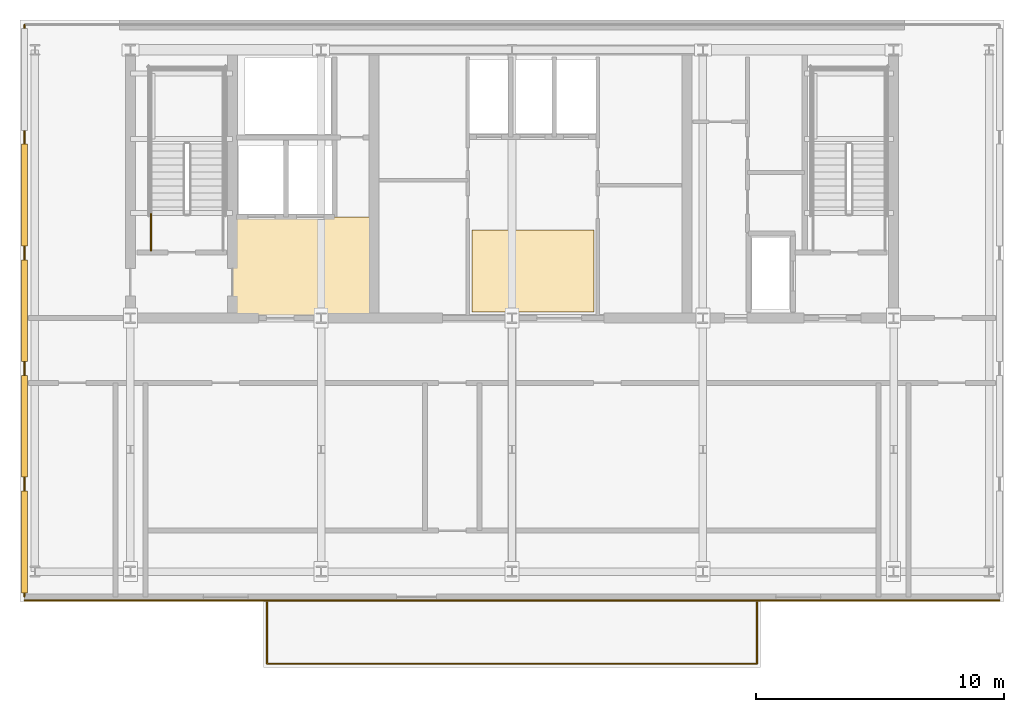
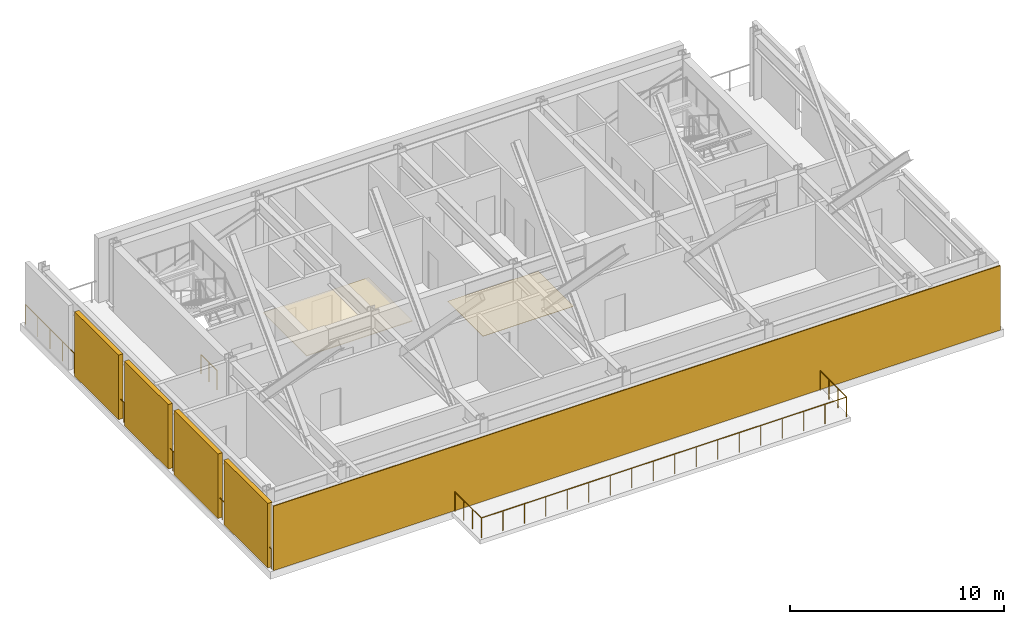
# One storey, part 5 of 8: 4 shading devices, 3 coverings, 3 railings.
"""IFC4 building model written with IfcOpenShell, lengths in metres."""

import ifcopenshell
import ifcopenshell.guid

model = None  # the IFC model being written
_history = None  # IfcOwnerHistory: only IFC2X3 demands one
_inside = {}  # id of a spatial element -> (the spatial element, [elements in it])
_under = {}  # id of a project, library or spatial element -> (it, [spatial elements below it])
_declared = {}  # id of a project -> (the project, [libraries it declares])
_typed = {}  # id of a type object -> (the type object, [elements of that type])
_made_of = {}  # id of a material, layer set ... -> (it, [elements and type objects made of it])


def new_model(schema):
    """Start an empty IFC model of exactly this schema.

    Asked for "IFC4X3", IfcOpenShell would pick the latest addendum, in which some entities
    have other attributes; the version numbers below select the first issue.
    IFC2X3 requires an IfcOwnerHistory on every rooted entity: one is made here for all.
    """
    global model, _history
    if schema == "IFC4X3":
        model = ifcopenshell.file(schema_version=(4, 3, 0, 0))
    else:
        model = ifcopenshell.file(schema=schema)
    _inside.clear()
    _under.clear()
    _declared.clear()
    _typed.clear()
    _made_of.clear()
    _history = None
    if model.schema == "IFC2X3":
        org = make("IfcOrganization", Name="unknown")
        user = make(
            "IfcPersonAndOrganization",
            ThePerson=make("IfcPerson", FamilyName="unknown"),
            TheOrganization=org,
        )
        app = make(
            "IfcApplication",
            ApplicationDeveloper=org,
            Version="unknown",
            ApplicationFullName="unknown",
            ApplicationIdentifier="unknown",
        )
        _history = make(
            "IfcOwnerHistory",
            OwningUser=user,
            OwningApplication=app,
            ChangeAction="ADDED",
            CreationDate=0,
        )
    return model


def make(cls, **values):
    """One entity of the class cls with the attributes given. An attribute that is None is left unset."""
    return model.create_entity(
        cls, **{name: value for name, value in values.items() if value is not None}
    )


def rooted(cls, **values):
    """An entity with a GlobalId (a new one), such as an element, a storey or a relation."""
    return make(cls, GlobalId=ifcopenshell.guid.new(), OwnerHistory=_history, **values)


def si_unit(unit_type, name, prefix=None):
    """IfcSIUnit, for example si_unit("LENGTHUNIT", "METRE", prefix="MILLI")."""
    return make("IfcSIUnit", UnitType=unit_type, Prefix=prefix, Name=name)


def assignment(units):
    """IfcUnitAssignment: the units of a project."""
    return None if units is None else make("IfcUnitAssignment", Units=units)


def point(xyz):
    """IfcCartesianPoint."""
    return None if xyz is None else make("IfcCartesianPoint", Coordinates=xyz)


def direction(xyz):
    """IfcDirection."""
    return None if xyz is None else make("IfcDirection", DirectionRatios=xyz)


def frame(location, z_axis=None, x_axis=None):
    """IfcAxis2Placement3D, a coordinate frame: its origin and axes. An axis left out is left unset."""
    return make(
        "IfcAxis2Placement3D",
        Location=point(location),
        Axis=direction(z_axis),
        RefDirection=direction(x_axis),
    )


def frame_2d(location, x_axis=None):
    """IfcAxis2Placement2D, a coordinate frame in the plane: its origin and x axis."""
    return make(
        "IfcAxis2Placement2D", Location=point(location), RefDirection=direction(x_axis)
    )


def origin():
    """The frame at (0, 0, 0) with its axes left unset."""
    return frame((0.0, 0.0, 0.0))


def origin_2d():
    """The frame at (0, 0) in the plane with its x axis left unset."""
    return frame_2d((0.0, 0.0))


def place(relative_to, where):
    """IfcLocalPlacement: puts the frame where relative to a parent placement (None: the world)."""
    return make(
        "IfcLocalPlacement", PlacementRelTo=relative_to, RelativePlacement=where
    )


def context(
    kind, dimensions, precision=None, world=None, true_north=None, identifier=None
):
    """IfcGeometricRepresentationContext, for example the 3D "Model" context."""
    return make(
        "IfcGeometricRepresentationContext",
        ContextIdentifier=identifier,
        ContextType=kind,
        CoordinateSpaceDimension=dimensions,
        Precision=precision,
        WorldCoordinateSystem=world,
        TrueNorth=true_north,
    )


def subcontext(parent, identifier, kind, view, scale=None):
    """IfcGeometricRepresentationSubContext, for example "Body" below "Model"."""
    return make(
        "IfcGeometricRepresentationSubContext",
        ContextIdentifier=identifier,
        ContextType=kind,
        ParentContext=parent,
        TargetScale=scale,
        TargetView=view,
    )


def project(units=None, contexts=None):
    """IfcProject with its units and contexts."""
    return rooted(
        "IfcProject",
        Name="project",
        RepresentationContexts=contexts,
        UnitsInContext=assignment(units),
    )


def spatial(cls, under=None, at=None, **own):
    """A site, building, storey or space (cls), placed at a placement, below another one or the project."""
    s = rooted(cls, ObjectPlacement=at, **own)
    if under is not None:
        _under.setdefault(under.id(), (under, []))[1].append(s)
    return s


def polyline(points):
    """IfcPolyline through the points."""
    return make("IfcPolyline", Points=[point(p) for p in points])


def profile(cls, at=None, kind="AREA", **sizes):
    """A parametric profile (cls). Its sizes go by their IFC names, for example OverallWidth=200.0."""
    return make(cls, ProfileType=kind, Position=at, **sizes)


def rectangle(**sizes):
    """IfcRectangleProfileDef."""
    return profile("IfcRectangleProfileDef", **sizes)


def circle(**sizes):
    """IfcCircleProfileDef."""
    return profile("IfcCircleProfileDef", **sizes)


def outline(outer, holes=None, kind="AREA"):
    """IfcArbitraryClosedProfileDef: a profile drawn as a closed curve; with holes, ...WithVoids."""
    if holes is None:
        return make("IfcArbitraryClosedProfileDef", ProfileType=kind, OuterCurve=outer)
    return make(
        "IfcArbitraryProfileDefWithVoids",
        ProfileType=kind,
        OuterCurve=outer,
        InnerCurves=holes,
    )


def extrude(swept, where, along, depth):
    """IfcExtrudedAreaSolid: the profile swept, set in the frame where, extruded along a direction by depth."""
    return make(
        "IfcExtrudedAreaSolid",
        SweptArea=swept,
        Position=where,
        ExtrudedDirection=direction(along),
        Depth=depth,
    )


def shape(context_of_items, identifier, shape_type, items):
    """IfcShapeRepresentation: the items that make up one representation, for example the "Body"."""
    return make(
        "IfcShapeRepresentation",
        ContextOfItems=context_of_items,
        RepresentationIdentifier=identifier,
        RepresentationType=shape_type,
        Items=items,
    )


def material(Name=None, Category=None):
    """IfcMaterial."""
    return make("IfcMaterial", Name=Name, Category=Category)


def layer(
    of_material, thickness, ventilated=None, Name=None, Category=None, Priority=None
):
    """IfcMaterialLayer: one layer of a wall or slab, of a material (None: an air gap)."""
    return make(
        "IfcMaterialLayer",
        Material=of_material,
        LayerThickness=thickness,
        IsVentilated=ventilated,
        Name=Name,
        Category=Category,
        Priority=Priority,
    )


def layer_set(layers, Name=None):
    """IfcMaterialLayerSet."""
    return make("IfcMaterialLayerSet", MaterialLayers=layers, LayerSetName=Name)


def made_of(thing, what):
    """Note that an element or type object is made of a material, layer set ...; save() writes the relation."""
    if what is not None:
        _made_of.setdefault(what.id(), (what, []))[1].append(thing)
    return thing


def type_object(cls, material=None, **own):
    """A type object (cls), such as IfcWallType, which elements share."""
    return made_of(rooted(cls, **own), material)


def element(
    cls,
    number,
    at=None,
    inside=None,
    cuts=None,
    type_object=None,
    material=None,
    context=None,
    identifier="Body",
    shape_type=None,
    held_by="IfcProductDefinitionShape",
    body=None,
    shapes=None,
    **own,
):
    """One element of the class cls, such as IfcWall. Its Tag is "e" and its number.

    at: its placement. inside: the storey or other place that contains it. cuts: it is an
    opening in that element (IfcRelVoidsElement). A single representation is given by context,
    identifier, shape_type and body (its items); several are given by shapes. held_by: the class
    of the entity that holds the representations. save() writes the other relations.
    """
    e = rooted(cls, Tag="e%d" % number, ObjectPlacement=at, **own)
    if body is not None:
        shapes = [shape(context, identifier, shape_type, body)]
    if shapes is not None:
        e.Representation = make(held_by, Representations=shapes)
    if inside is not None:
        _inside.setdefault(inside.id(), (inside, []))[1].append(e)
    if cuts is not None:
        rooted(
            "IfcRelVoidsElement", RelatingBuildingElement=cuts, RelatedOpeningElement=e
        )
    if type_object is not None:
        _typed.setdefault(type_object.id(), (type_object, []))[1].append(e)
    return made_of(e, material)


def aggregate(whole, parts):
    """IfcRelAggregates: a whole, such as a stair, and the parts it consists of."""
    return rooted("IfcRelAggregates", RelatingObject=whole, RelatedObjects=parts)


def save(model, path):
    """Write the relations noted so far, then the file.

    IfcRelAggregates (storeys below a building ...), IfcRelContainedInSpatialStructure (elements
    in a storey), IfcRelDefinesByType, IfcRelAssociatesMaterial and IfcRelDeclares: one each for
    every whole, place, type object, material and project.
    """
    for whole, parts in _under.values():
        aggregate(whole, parts)
    for where, things in _inside.values():
        rooted(
            "IfcRelContainedInSpatialStructure",
            RelatedElements=things,
            RelatingStructure=where,
        )
    for kind, things in _typed.values():
        rooted("IfcRelDefinesByType", RelatedObjects=things, RelatingType=kind)
    for what, things in _made_of.values():
        rooted("IfcRelAssociatesMaterial", RelatedObjects=things, RelatingMaterial=what)
    for by, libraries in _declared.values():
        rooted("IfcRelDeclares", RelatingContext=by, RelatedDefinitions=libraries)
    model.write(path)


model = new_model("IFC4")

# Units and contexts
model_context = context("Model", 3, precision=1e-05, world=origin(), true_north=direction((0.0, 1.0)))
body_context = subcontext(model_context, "Body", "Model", "MODEL_VIEW")
ifc_project = project(units=[si_unit("LENGTHUNIT", "METRE"), si_unit("AREAUNIT", "SQUARE_METRE"), si_unit("VOLUMEUNIT", "CUBIC_METRE"), si_unit("PLANEANGLEUNIT", "RADIAN"), si_unit("MASSUNIT", "GRAM", prefix="KILO")], contexts=[model_context])

# Site, building, storey
site_placement = place(None, origin())
site = spatial("IfcSite", under=ifc_project, at=site_placement, CompositionType="ELEMENT")
building_placement = place(site_placement, origin())
building = spatial("IfcBuilding", under=site, at=building_placement, Name="Yelkora Congress Tower", CompositionType="ELEMENT")
storey_placement = place(building_placement, frame((0.0, 0.0, 247.39990234375)))
storey = spatial("IfcBuildingStorey", under=building, at=storey_placement, Name="L69", CompositionType="ELEMENT", Elevation=247.39990234375)

# Coverings
ifc_material_1 = material(Name="Perforated mineral-fibre acoustic ceiling", Category="gypsum")
ifc_layer_1 = layer(ifc_material_1, 0.0400390625)
ifc_layer_set_1 = layer_set([ifc_layer_1], Name="Perforated mineral-fibre acoustic ceiling")
covering_type_1 = type_object("IfcCoveringType", Name="COV-CEIL-ACOUSTIC-40", PredefinedType="CEILING", material=ifc_layer_set_1)
covering_1_placement = place(storey_placement, frame((0.0, 0.0, 2.400146484375)))
element("IfcCovering", 1, at=covering_1_placement, inside=storey, type_object=covering_type_1, Name="L69 Firefighting Lobby Acoustic Ceiling", PredefinedType="CEILING", context=body_context, shape_type="SweptSolid", body=[
    extrude(outline(polyline([(27.14990234375, 35.39990234375), (32.85009765625, 35.39990234375), (32.85009765625, 39.47998046875), (27.14990234375, 39.47998046875), (27.14990234375, 35.39990234375)])), origin(), (0.0, 0.0, 1.0), 0.0400390625),
])
ifc_material_2 = material(Name="Anatolian honed limestone ashlar", Category="masonry")
ifc_layer_2 = layer(ifc_material_2, 0.050048828125)
ifc_layer_set_2 = layer_set([ifc_layer_2], Name="Anatolian honed limestone ashlar")
covering_type_2 = type_object("IfcCoveringType", Name="COV-CLAD-LIMESTONE-50", PredefinedType="CLADDING", material=ifc_layer_set_2)
covering_2_placement = place(storey_placement, frame((18.780029296875, 24.0400390625, 0.0), z_axis=(0.0, 0.0, 1.0), x_axis=(1.0, 0.0, 0.0)))
element("IfcCovering", 2, at=covering_2_placement, inside=storey, type_object=covering_type_2, Name="L69 Anatolian Limestone Cladding EW-L69-S-SG", PredefinedType="CLADDING", context=body_context, shape_type="SweptSolid", body=[
    extrude(rectangle(XDim=39.239990234375, YDim=0.050048828125, at=frame_2d((19.6201171875, 0.0))), origin(), (0.0, 0.0, 1.0), 3.68017578125),
])
ifc_material_3 = material(Name="Polished Anatolian grey granite tile", Category="masonry")
ifc_layer_3 = layer(ifc_material_3, 0.02001953125)
ifc_layer_set_3 = layer_set([ifc_layer_3], Name="Polished Anatolian grey granite tile")
covering_type_3 = type_object("IfcCoveringType", Name="COV-FLOOR-GRANITE-20", PredefinedType="FLOORING", material=ifc_layer_set_3)
covering_3_placement = place(storey_placement, origin())
element("IfcCovering", 3, at=covering_3_placement, inside=storey, type_object=covering_type_3, Name="L69 Lift Lobby Granite Flooring", PredefinedType="FLOORING", context=body_context, shape_type="SweptSolid", body=[
    extrude(outline(polyline([(36.800048828125, 35.64990234375), (41.699951171875, 35.64990234375), (41.699951171875, 38.949951171875), (36.800048828125, 38.949951171875), (36.800048828125, 35.64990234375)])), origin(), (0.0, 0.0, 1.0), 0.02001953125),
])

# Railings
ifc_material_4 = material(Name="Stainless steel 316L and laminated glass infill", Category="steel")
ifc_layer_4 = layer(ifc_material_4, 0.080078125)
ifc_layer_set_4 = layer_set([ifc_layer_4], Name="Stainless steel 316L and laminated glass infill")
railing_type_1 = type_object("IfcRailingType", Name="RAIL-EXT-GUARD-1150", PredefinedType="GUARDRAIL", material=ifc_layer_set_4)
railing_1_placement = place(storey_placement, frame((18.780029296875, 24.199951171875, 0.0)))
element("IfcRailing", 4, at=railing_1_placement, inside=storey, type_object=railing_type_1, Name="L69 Wind-Floor Perimeter Guardrail W", PredefinedType="GUARDRAIL", context=body_context, shape_type="SweptSolid", body=[
    extrude(circle(Radius=0.02392578125, at=origin_2d()), frame((0.0, 0.0, 1.1259765625), z_axis=(0.0, 1.0, 0.0), x_axis=(-1.0, 0.0, 0.0)), (0.0, 0.0, 1.0), 23.0),
    extrude(circle(Radius=0.02099609375, at=origin_2d()), origin(), (0.0, 0.0, 1.0), 1.101806640625),
    extrude(circle(Radius=0.02099609375, at=origin_2d()), frame((0.0, 1.14990234375, 0.0)), (0.0, 0.0, 1.0), 1.101806640625),
    extrude(circle(Radius=0.02099609375, at=origin_2d()), frame((0.0, 2.300048828125, 0.0)), (0.0, 0.0, 1.0), 1.101806640625),
    extrude(circle(Radius=0.02099609375, at=origin_2d()), frame((0.0, 3.449951171875, 0.0)), (0.0, 0.0, 1.0), 1.101806640625),
    extrude(circle(Radius=0.02099609375, at=origin_2d()), frame((0.0, 4.60009765625, 0.0)), (0.0, 0.0, 1.0), 1.101806640625),
    extrude(circle(Radius=0.02099609375, at=origin_2d()), frame((0.0, 5.75, 0.0)), (0.0, 0.0, 1.0), 1.101806640625),
    extrude(circle(Radius=0.02099609375, at=origin_2d()), frame((0.0, 6.89990234375, 0.0)), (0.0, 0.0, 1.0), 1.101806640625),
    extrude(circle(Radius=0.02099609375, at=origin_2d()), frame((0.0, 8.050048828125, 0.0)), (0.0, 0.0, 1.0), 1.101806640625),
    extrude(circle(Radius=0.02099609375, at=origin_2d()), frame((0.0, 9.199951171875, 0.0)), (0.0, 0.0, 1.0), 1.101806640625),
    extrude(circle(Radius=0.02099609375, at=origin_2d()), frame((0.0, 10.35009765625, 0.0)), (0.0, 0.0, 1.0), 1.101806640625),
    extrude(circle(Radius=0.02099609375, at=origin_2d()), frame((0.0, 11.5, 0.0)), (0.0, 0.0, 1.0), 1.101806640625),
    extrude(circle(Radius=0.02099609375, at=origin_2d()), frame((0.0, 12.64990234375, 0.0)), (0.0, 0.0, 1.0), 1.101806640625),
    extrude(circle(Radius=0.02099609375, at=origin_2d()), frame((0.0, 13.800048828125, 0.0)), (0.0, 0.0, 1.0), 1.101806640625),
    extrude(circle(Radius=0.02099609375, at=origin_2d()), frame((0.0, 14.949951171875, 0.0)), (0.0, 0.0, 1.0), 1.101806640625),
    extrude(circle(Radius=0.02099609375, at=origin_2d()), frame((0.0, 16.10009765625, 0.0)), (0.0, 0.0, 1.0), 1.101806640625),
    extrude(circle(Radius=0.02099609375, at=origin_2d()), frame((0.0, 17.25, 0.0)), (0.0, 0.0, 1.0), 1.101806640625),
    extrude(circle(Radius=0.02099609375, at=origin_2d()), frame((0.0, 18.39990234375, 0.0)), (0.0, 0.0, 1.0), 1.101806640625),
    extrude(circle(Radius=0.02099609375, at=origin_2d()), frame((0.0, 19.550048828125, 0.0)), (0.0, 0.0, 1.0), 1.101806640625),
    extrude(circle(Radius=0.02099609375, at=origin_2d()), frame((0.0, 20.699951171875, 0.0)), (0.0, 0.0, 1.0), 1.101806640625),
    extrude(circle(Radius=0.02099609375, at=origin_2d()), frame((0.0, 21.85009765625, 0.0)), (0.0, 0.0, 1.0), 1.101806640625),
    extrude(circle(Radius=0.02099609375, at=origin_2d()), frame((0.0, 23.0, 0.0)), (0.0, 0.0, 1.0), 1.101806640625),
])
railing_2_placement = place(storey_placement, frame((28.5400390625, 23.9599609375, 0.0)))
element("IfcRailing", 5, at=railing_2_placement, inside=storey, type_object=railing_type_1, Name="L69 Sky Garden Terrace Perimeter Guardrail", PredefinedType="GUARDRAIL", context=body_context, shape_type="SweptSolid", body=[
    extrude(circle(Radius=0.02392578125, at=origin_2d()), frame((0.0, 0.0, 1.1259765625), z_axis=(0.0, -1.0, 0.0), x_axis=(1.0, 0.0, 0.0)), (0.0, 0.0, 1.0), 2.469970703125),
    extrude(circle(Radius=0.02392578125, at=origin_2d()), frame((0.0, -2.469970703125, 1.1259765625), z_axis=(1.0, 0.0, 0.0), x_axis=(0.0, 1.0, 0.0)), (0.0, 0.0, 1.0), 19.719970703125),
    extrude(circle(Radius=0.02392578125, at=origin_2d()), frame((19.719970703125, -2.469970703125, 1.1259765625), z_axis=(0.0, 1.0, 0.0), x_axis=(-1.0, 0.0, 0.0)), (0.0, 0.0, 1.0), 2.469970703125),
    extrude(circle(Radius=0.02099609375, at=origin_2d()), origin(), (0.0, 0.0, 1.0), 1.101806640625),
    extrude(circle(Radius=0.02099609375, at=origin_2d()), frame((0.0, -0.8232421875, 0.0)), (0.0, 0.0, 1.0), 1.101806640625),
    extrude(circle(Radius=0.02099609375, at=origin_2d()), frame((0.0, -1.646728515625, 0.0)), (0.0, 0.0, 1.0), 1.101806640625),
    extrude(circle(Radius=0.02099609375, at=origin_2d()), frame((0.0, -2.469970703125, 0.0)), (0.0, 0.0, 1.0), 1.101806640625),
    extrude(circle(Radius=0.02099609375, at=origin_2d()), frame((1.159912109375, -2.469970703125, 0.0)), (0.0, 0.0, 1.0), 1.101806640625),
    extrude(circle(Radius=0.02099609375, at=origin_2d()), frame((2.320068359375, -2.469970703125, 0.0)), (0.0, 0.0, 1.0), 1.101806640625),
    extrude(circle(Radius=0.02099609375, at=origin_2d()), frame((3.47998046875, -2.469970703125, 0.0)), (0.0, 0.0, 1.0), 1.101806640625),
    extrude(circle(Radius=0.02099609375, at=origin_2d()), frame((4.639892578125, -2.469970703125, 0.0)), (0.0, 0.0, 1.0), 1.101806640625),
    extrude(circle(Radius=0.02099609375, at=origin_2d()), frame((5.800048828125, -2.469970703125, 0.0)), (0.0, 0.0, 1.0), 1.101806640625),
    extrude(circle(Radius=0.02099609375, at=origin_2d()), frame((6.9599609375, -2.469970703125, 0.0)), (0.0, 0.0, 1.0), 1.101806640625),
    extrude(circle(Radius=0.02099609375, at=origin_2d()), frame((8.119873046875, -2.469970703125, 0.0)), (0.0, 0.0, 1.0), 1.101806640625),
    extrude(circle(Radius=0.02099609375, at=origin_2d()), frame((9.280029296875, -2.469970703125, 0.0)), (0.0, 0.0, 1.0), 1.101806640625),
    extrude(circle(Radius=0.02099609375, at=origin_2d()), frame((10.43994140625, -2.469970703125, 0.0)), (0.0, 0.0, 1.0), 1.101806640625),
    extrude(circle(Radius=0.02099609375, at=origin_2d()), frame((11.60009765625, -2.469970703125, 0.0)), (0.0, 0.0, 1.0), 1.101806640625),
    extrude(circle(Radius=0.02099609375, at=origin_2d()), frame((12.760009765625, -2.469970703125, 0.0)), (0.0, 0.0, 1.0), 1.101806640625),
    extrude(circle(Radius=0.02099609375, at=origin_2d()), frame((13.919921875, -2.469970703125, 0.0)), (0.0, 0.0, 1.0), 1.101806640625),
    extrude(circle(Radius=0.02099609375, at=origin_2d()), frame((15.080078125, -2.469970703125, 0.0)), (0.0, 0.0, 1.0), 1.101806640625),
    extrude(circle(Radius=0.02099609375, at=origin_2d()), frame((16.239990234375, -2.469970703125, 0.0)), (0.0, 0.0, 1.0), 1.101806640625),
    extrude(circle(Radius=0.02099609375, at=origin_2d()), frame((17.39990234375, -2.469970703125, 0.0)), (0.0, 0.0, 1.0), 1.101806640625),
    extrude(circle(Radius=0.02099609375, at=origin_2d()), frame((18.56005859375, -2.469970703125, 0.0)), (0.0, 0.0, 1.0), 1.101806640625),
    extrude(circle(Radius=0.02099609375, at=origin_2d()), frame((19.719970703125, -2.469970703125, 0.0)), (0.0, 0.0, 1.0), 1.101806640625),
    extrude(circle(Radius=0.02099609375, at=origin_2d()), frame((19.719970703125, -1.646728515625, 0.0)), (0.0, 0.0, 1.0), 1.101806640625),
    extrude(circle(Radius=0.02099609375, at=origin_2d()), frame((19.719970703125, -0.8232421875, 0.0)), (0.0, 0.0, 1.0), 1.101806640625),
    extrude(circle(Radius=0.02099609375, at=origin_2d()), frame((19.719970703125, 0.0, 0.0)), (0.0, 0.0, 1.0), 1.101806640625),
])
ifc_material_5 = material(Name="Painted galvanised steel stair well guard with vertical infill", Category="steel")
ifc_layer_5 = layer(ifc_material_5, 0.06005859375)
ifc_layer_set_5 = layer_set([ifc_layer_5], Name="Painted galvanised steel stair well guard with vertical infill")
railing_type_2 = type_object("IfcRailingType", Name="RAIL-STAIR-GUARD-1120", PredefinedType="GUARDRAIL", material=ifc_layer_set_5)
railing_3_placement = place(storey_placement, frame((23.8701171875, 38.1201171875, 0.0)))
element("IfcRailing", 6, at=railing_3_placement, inside=storey, type_object=railing_type_2, Name="ST-01 L69 Stair Well Guardrail 9", PredefinedType="GUARDRAIL", context=body_context, shape_type="SweptSolid", body=[
    extrude(circle(Radius=0.02392578125, at=origin_2d()), frame((0.0, 0.0, 1.09619140625), z_axis=(0.0, 1.0, 0.0), x_axis=(-1.0, 0.0, 0.0)), (0.0, 0.0, 1.0), 1.47998046875),
    extrude(circle(Radius=0.02099609375, at=origin_2d()), origin(), (0.0, 0.0, 1.0), 1.072021484375),
    extrude(circle(Radius=0.02099609375, at=origin_2d()), frame((0.0, 0.739990234375, 0.0)), (0.0, 0.0, 1.0), 1.072021484375),
    extrude(circle(Radius=0.02099609375, at=origin_2d()), frame((0.0, 1.47998046875, 0.0)), (0.0, 0.0, 1.0), 1.072021484375),
])

# Shading devices
ifc_material_6 = material(Name="Perforated anodised aluminium louvre", Category="aluminium")
ifc_layer_6 = layer(ifc_material_6, 3.39990234375)
ifc_layer_set_6 = layer_set([ifc_layer_6], Name="Perforated anodised aluminium louvre")
shading_device_type = type_object("IfcShadingDeviceType", Name="SHD-LOUVRE-WIND", PredefinedType="JALOUSIE", material=ifc_layer_set_6)
for number, where, z_axis, x_axis, name in (
    (7, (18.780029296875, 26.39990234375, 0.0), (0.0, 0.0, 1.0), (1.0, 0.0, 0.0), "L69 Acoustic Wind-Floor Louvre Screen W1"),
    (8, (18.780029296875, 31.050048828125, 0.0), (0.0, 0.0, 1.0), (1.0, 0.0, 0.0), "L69 Acoustic Wind-Floor Louvre Screen W2"),
    (9, (18.780029296875, 35.699951171875, 0.0), (0.0, 0.0, 1.0), (1.0, 0.0, 0.0), "L69 Acoustic Wind-Floor Louvre Screen W3"),
    (10, (18.780029296875, 40.35009765625, 0.0), (0.0, 0.0, 1.0), (1.0, 0.0, 0.0), "L69 Acoustic Wind-Floor Louvre Screen W4"),
):
    element("IfcShadingDevice", number, at=place(storey_placement, frame(where, z_axis=z_axis, x_axis=x_axis)), inside=storey, type_object=shading_device_type, Name=name, PredefinedType="JALOUSIE", context=body_context, shape_type="SweptSolid", body=[
        extrude(rectangle(XDim=0.239990234375, YDim=4.10009765625, at=origin_2d()), origin(), (0.0, 0.0, 1.0), 3.679931640625),
    ])

save(model, "model.ifc")
